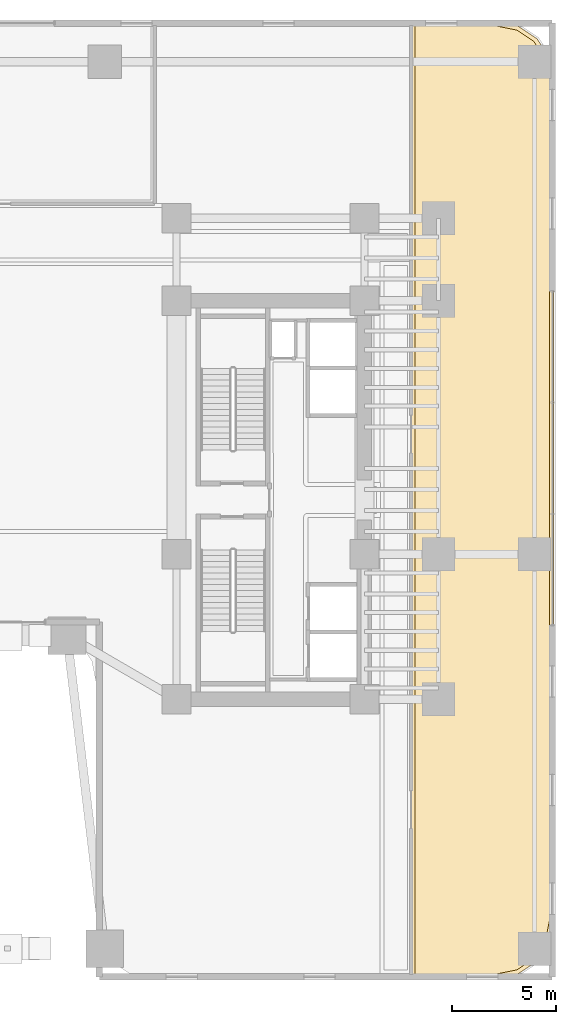
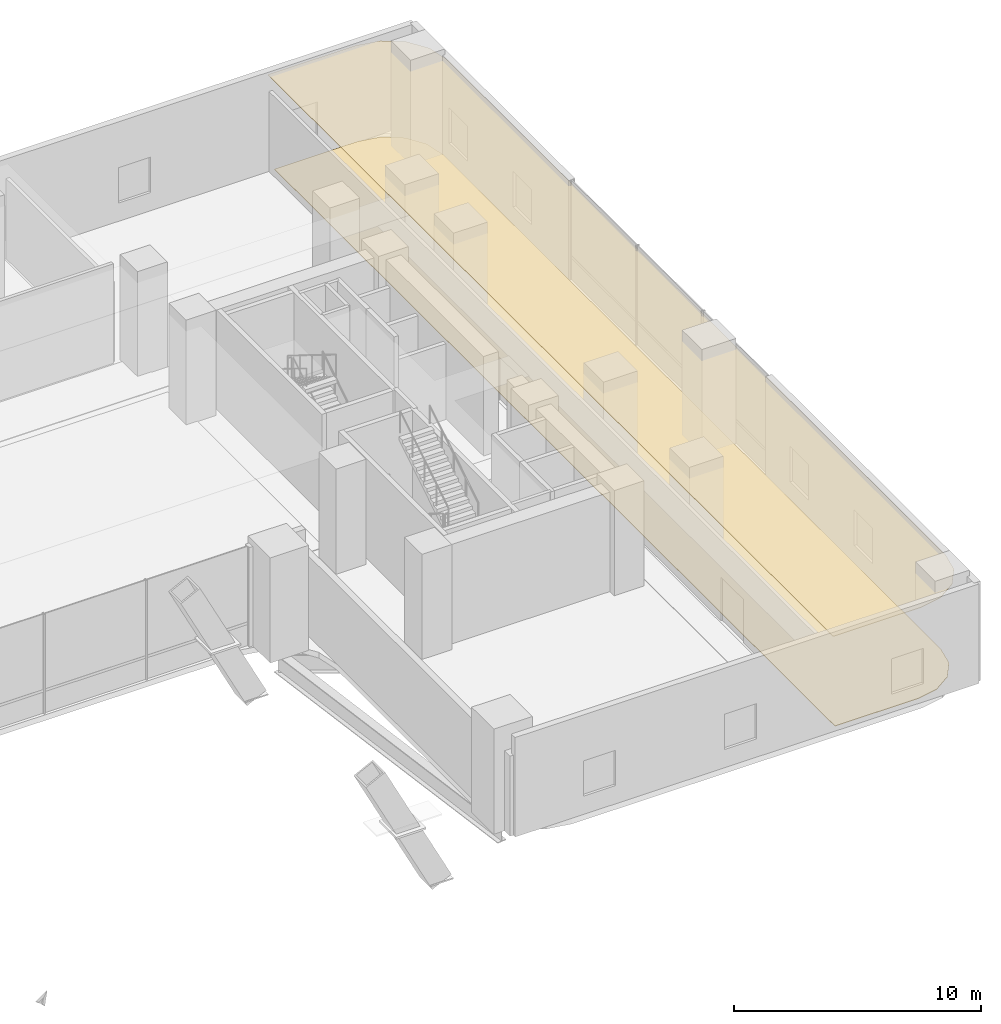
# One storey, part 39 of 39: 2 coverings.
"""IFC4 building model written with IfcOpenShell, lengths in metres."""

from ifc_helpers import new_model, si_unit, direction, frame, origin, place, context, subcontext, project, spatial, polyline, outline, extrude, material, layer, layer_set, type_object, element, save


model = new_model("IFC4")

# Units and contexts
model_context = context("Model", 3, precision=1e-05, world=origin(), true_north=direction((0.0, 1.0)))
body_context = subcontext(model_context, "Body", "Model", "MODEL_VIEW")
ifc_project = project(units=[si_unit("LENGTHUNIT", "METRE"), si_unit("AREAUNIT", "SQUARE_METRE"), si_unit("VOLUMEUNIT", "CUBIC_METRE"), si_unit("PLANEANGLEUNIT", "RADIAN"), si_unit("MASSUNIT", "GRAM", prefix="KILO")], contexts=[model_context])

# Site, building, storey
site_placement = place(None, origin())
site = spatial("IfcSite", under=ifc_project, at=site_placement, CompositionType="ELEMENT")
building_placement = place(site_placement, origin())
building = spatial("IfcBuilding", under=site, at=building_placement, Name="Valdorenza Pilgrim Sanctuary Tower", CompositionType="ELEMENT")
storey_placement = place(building_placement, frame((0.0, 0.0, 10.39990234375)))
storey = spatial("IfcBuildingStorey", under=building, at=storey_placement, Name="L02", CompositionType="ELEMENT", Elevation=10.39990234375)

# Coverings
ifc_material_1 = material(Name="Micro-perforated acoustic mineral ceiling tile", Category="gypsum")
ifc_layer_1 = layer(ifc_material_1, 0.02490234375, Name="Micro-perforated acoustic mineral ceiling tile")
ifc_layer_set_1 = layer_set([ifc_layer_1], Name="Micro-perforated acoustic mineral ceiling tile")
covering_type_1 = type_object("IfcCoveringType", Name="COV-CLG-ACU", PredefinedType="CEILING", material=ifc_layer_set_1)
covering_1_placement = place(storey_placement, frame((0.0, 0.0, 4.6201171875)))
element("IfcCovering", 1, at=covering_1_placement, inside=storey, type_object=covering_type_1, Name="L02 Commercial Catering Dry Store Acoustic Ceiling", PredefinedType="CEILING", context=body_context, shape_type="SweptSolid", body=[
    extrude(outline(polyline([(31.189208984375, 22.905029296875), (31.190673828125, 22.90478515625), (31.192138671875, 22.90478515625), (32.2314453125, 22.697998046875), (32.23291015625, 22.697509765625), (32.234375, 22.697021484375), (32.235595703125, 22.696533203125), (32.23681640625, 22.69580078125), (33.10888671875, 22.113037109375), (33.110107421875, 22.1123046875), (33.111083984375, 22.111083984375), (33.1123046875, 22.110107421875), (33.113037109375, 22.10888671875), (33.69580078125, 21.23681640625), (33.696533203125, 21.235595703125), (33.697021484375, 21.234375), (33.697509765625, 21.23291015625), (33.697998046875, 21.2314453125), (33.90478515625, 20.192138671875), (33.90478515625, 20.190673828125), (33.905029296875, 20.189208984375), (33.905029296875, -20.189208984375), (33.90478515625, -20.190673828125), (33.90478515625, -20.192138671875), (33.697998046875, -21.2314453125), (33.697509765625, -21.23291015625), (33.697021484375, -21.234375), (33.696533203125, -21.235595703125), (33.69580078125, -21.23681640625), (33.113037109375, -22.10888671875), (33.1123046875, -22.110107421875), (33.111083984375, -22.111083984375), (33.110107421875, -22.1123046875), (33.10888671875, -22.113037109375), (32.23681640625, -22.69580078125), (32.235595703125, -22.696533203125), (32.234375, -22.697021484375), (32.23291015625, -22.697509765625), (32.2314453125, -22.697998046875), (31.192138671875, -22.90478515625), (31.190673828125, -22.90478515625), (31.189208984375, -22.905029296875), (27.10009765625, -22.905029296875), (27.098388671875, -22.90478515625), (27.09716796875, -22.90478515625), (27.095703125, -22.904296875), (27.09423828125, -22.90380859375), (27.093017578125, -22.9033203125), (27.091796875, -22.902587890625), (27.090576171875, -22.901611328125), (27.08935546875, -22.900634765625), (27.08837890625, -22.8994140625), (27.08740234375, -22.898193359375), (27.0869140625, -22.897216796875), (27.086181640625, -22.895751953125), (27.085693359375, -22.894287109375), (27.085205078125, -22.892822265625), (27.085205078125, -22.8916015625), (27.0849609375, -22.889892578125), (27.0849609375, 22.889892578125), (27.085205078125, 22.8916015625), (27.085205078125, 22.892822265625), (27.085693359375, 22.894287109375), (27.086181640625, 22.895751953125), (27.0869140625, 22.897216796875), (27.08740234375, 22.898193359375), (27.08837890625, 22.8994140625), (27.08935546875, 22.900634765625), (27.090576171875, 22.901611328125), (27.091796875, 22.902587890625), (27.093017578125, 22.9033203125), (27.09423828125, 22.90380859375), (27.095703125, 22.904296875), (27.09716796875, 22.90478515625), (27.098388671875, 22.90478515625), (27.10009765625, 22.905029296875), (31.189208984375, 22.905029296875)])), origin(), (0.0, 0.0, 1.0), 0.02490234375),
])
ifc_material_2 = material(Name="Honed travertine stone flooring", Category="masonry")
ifc_layer_2 = layer(ifc_material_2, 0.030029296875, Name="Honed travertine stone flooring")
ifc_layer_set_2 = layer_set([ifc_layer_2], Name="Honed travertine stone flooring")
covering_type_2 = type_object("IfcCoveringType", Name="COV-FLR-TRV", PredefinedType="FLOORING", material=ifc_layer_set_2)
covering_2_placement = place(storey_placement, origin())
element("IfcCovering", 2, at=covering_2_placement, inside=storey, type_object=covering_type_2, Name="L02 Commercial Catering Dry Store Flooring", PredefinedType="FLOORING", context=body_context, shape_type="SweptSolid", body=[
    extrude(outline(polyline([(31.17138671875, 22.7099609375), (32.158203125, 22.513671875), (32.970703125, 21.970703125), (33.513671875, 21.158203125), (33.7099609375, 20.17138671875), (33.7099609375, -20.17138671875), (33.513671875, -21.158203125), (32.970703125, -21.970703125), (32.158203125, -22.513671875), (31.17138671875, -22.7099609375), (27.280029296875, -22.7099609375), (27.280029296875, 22.7099609375), (31.17138671875, 22.7099609375)])), origin(), (0.0, 0.0, 1.0), 0.025146484375),
])

save(model, "model.ifc")
